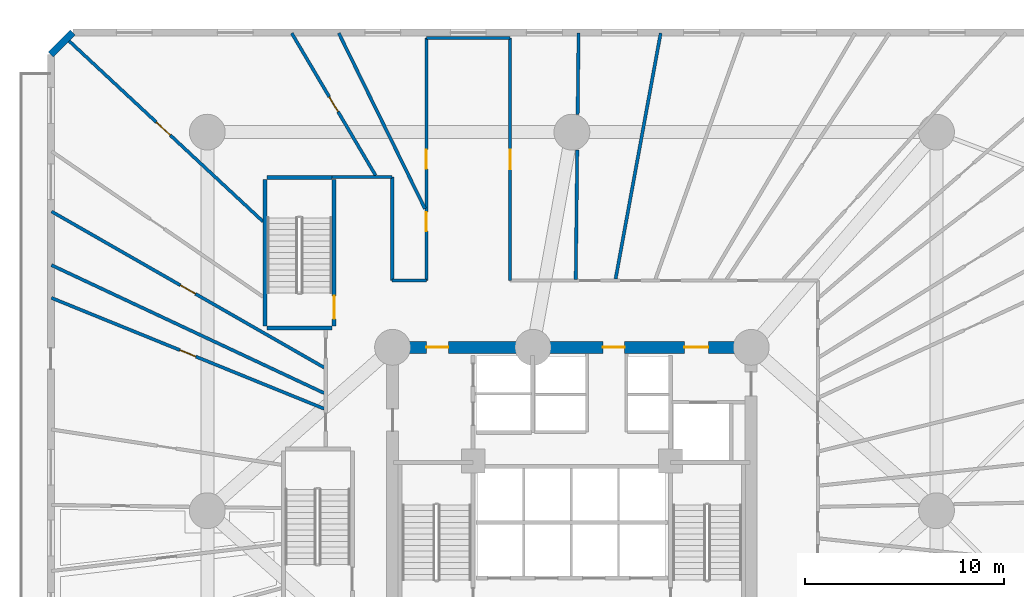
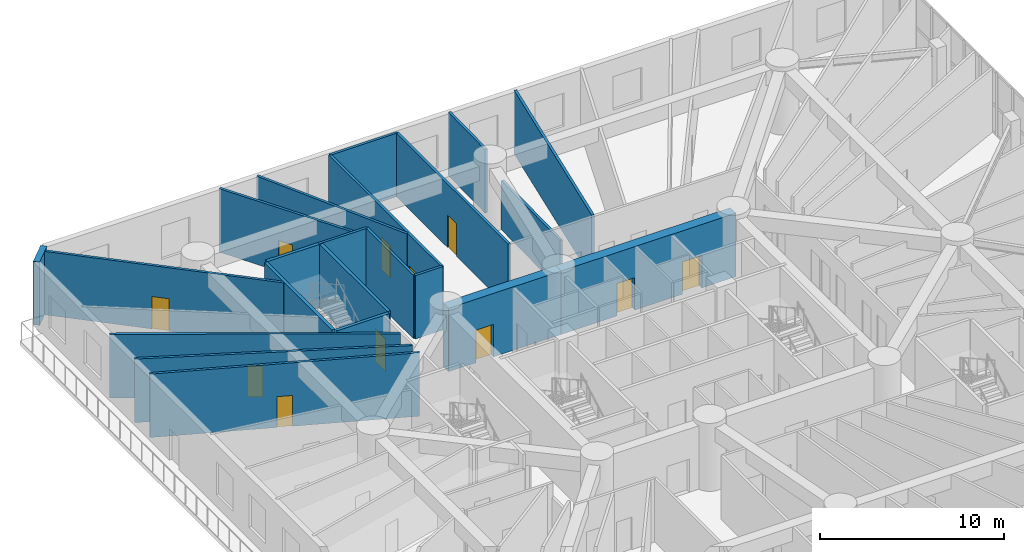
# One storey, part 17 of 26: 22 walls, 11 doors, 11 openings.
"""IFC4 building model written with IfcOpenShell, lengths in metres."""

from ifc_helpers import new_model, si_unit, direction, frame, frame_2d, origin, origin_with_axes, place, context, subcontext, project, spatial, rectangle, extrude, source, transform, mapped, material, layer, layer_set, type_object, element, fill, save


model = new_model("IFC4")

# Units and contexts
model_context = context("Model", 3, precision=1e-05, world=origin(), true_north=direction((0.0, 1.0)))
body_context = subcontext(model_context, "Body", "Model", "MODEL_VIEW")
ifc_project = project(units=[si_unit("LENGTHUNIT", "METRE"), si_unit("AREAUNIT", "SQUARE_METRE"), si_unit("VOLUMEUNIT", "CUBIC_METRE"), si_unit("PLANEANGLEUNIT", "RADIAN"), si_unit("MASSUNIT", "GRAM", prefix="KILO")], contexts=[model_context])

# Site, building, storey
site_placement = place(None, origin())
site = spatial("IfcSite", under=ifc_project, at=site_placement, CompositionType="ELEMENT")
building_placement = place(site_placement, origin())
building = spatial("IfcBuilding", under=site, at=building_placement, Name="Karkom Vertical University and Central Library", CompositionType="ELEMENT")
storey_placement = place(building_placement, frame((0.0, 0.0, 4.5)))
storey = spatial("IfcBuildingStorey", under=building, at=storey_placement, Name="L01", CompositionType="ELEMENT", Elevation=4.5)

# Wall
ifc_material_1 = material(Name="Brick masonry 360mm insulated cavity", Category="masonry")
ifc_layer_1 = layer(ifc_material_1, 0.360107421875)
ifc_layer_set_1 = layer_set([ifc_layer_1], Name="Brick masonry 360mm insulated cavity")
wall_type_1 = type_object("IfcWallType", Name="ENV-WL-BRK-360", PredefinedType="SOLIDWALL", material=ifc_layer_set_1)
wall_1_placement = place(storey_placement, frame((3.449951171875, 50.5, 0.0), z_axis=(0.0, 0.0, 1.0), x_axis=(-0.707028305322, -0.707185248342, 0.0)))
element("IfcWall", 1, at=wall_1_placement, inside=storey, type_object=wall_type_1, Name="Level 01 POD Terracotta Brick Facade Wall 06", PredefinedType="SOLIDWALL", context=body_context, shape_type="SweptSolid", body=[
    extrude(rectangle(XDim=1.5556640625, YDim=0.360107421875, at=frame_2d((0.77783203125, 0.0))), origin(), (0.0, 0.0, 1.0), 4.199951171875),
])

# Wall, opening, door
ifc_material_2 = material(Name="Insulated metal-stud drywall 160mm", Category="gypsum")
ifc_layer_2 = layer(ifc_material_2, 0.159912109375)
ifc_layer_set_2 = layer_set([ifc_layer_2], Name="Insulated metal-stud drywall 160mm")
wall_type_2 = type_object("IfcWallType", Name="INT-WL-COR-160", PredefinedType="PARTITIONING", material=ifc_layer_set_2)
wall_2_placement = place(storey_placement, frame((16.068115234375, 33.685546875, 0.0), z_axis=(0.0, 0.0, 1.0), x_axis=(-0.867874159782, 0.496784100774, 0.0)))
wall_2 = element("IfcWall", 2, at=wall_2_placement, inside=storey, type_object=wall_type_2, Name="Level 01 Interior Partition Wall Level 01-PODW-41-42-1", PredefinedType="PARTITIONING", context=body_context, shape_type="SweptSolid", body=[
    extrude(rectangle(XDim=15.767822265625, YDim=0.159912109375, at=frame_2d((7.8837890625, 0.0))), origin(), (0.0, 0.0, 1.0), 4.199951171875),
])
opening_1_placement = place(wall_2_placement, frame((7.453857421875, 0.0, 0.0)))
opening_1 = element("IfcOpeningElement", 3, at=opening_1_placement, cuts=wall_2, Name="Opening FD-BTH2", PredefinedType="OPENING", context=body_context, shape_type="SweptSolid", body=[
    extrude(rectangle(XDim=0.860107421875, YDim=2.0400390625, at=frame_2d((0.43017578125, 1.02001953125))), frame((0.0, 0.08984375, 0.0), z_axis=(0.0, -1.0, 0.0), x_axis=(1.0, 0.0, 0.0)), (0.0, 0.0, 1.0), 0.179931640625),
])
ifc_material_3 = material(Name="Fire-rated moisture-resistant oak door", Category="wood")
door_type_1 = type_object("IfcDoorType", Name="INT-DR-FBTH2", OperationType="NOTDEFINED", PredefinedType="DOOR", material=ifc_material_3)
shared_shape_1 = source(origin_with_axes(), body_context, "Body", "SweptSolid", [
    extrude(rectangle(XDim=0.860107421875, YDim=2.0400390625, at=frame_2d((0.43017578125, 1.02001953125))), frame((0.0, 0.02490234375, 0.0), z_axis=(0.0, -1.0, 0.0), x_axis=(1.0, 0.0, 0.0)), (0.0, 0.0, 1.0), 0.050048828125),
])
door_1_placement = place(opening_1_placement, origin())
door_1 = element("IfcDoor", 4, at=door_1_placement, inside=storey, type_object=door_type_1, Name="Level 01 Student Refectory Dining Hall Entry Door", OperationType="SINGLE_SWING_LEFT", OverallHeight=2.0400390625, OverallWidth=0.860107421875, PredefinedType="DOOR", context=body_context, shape_type="MappedRepresentation", body=[
    mapped(shared_shape_1, transform((0.0, 0.0, 0.0), scale=1.0)),
])
fill(opening_1, door_1)

# Wall
wall_3_placement = place(storey_placement, frame((16.068115234375, 32.4013671875, 0.0), z_axis=(0.0, 0.0, 1.0), x_axis=(-0.905248224799, 0.424883103334, 0.0)))
element("IfcWall", 5, at=wall_3_placement, inside=storey, type_object=wall_type_2, Name="Level 01 Interior Partition Wall Level 01-PODW-42-43-1", PredefinedType="PARTITIONING", context=body_context, shape_type="SweptSolid", body=[
    extrude(rectangle(XDim=15.11962890625, YDim=0.159912109375, at=frame_2d((7.559814453125, 0.0))), origin(), (0.0, 0.0, 1.0), 4.199951171875),
])

# Wall, opening, door
wall_4_placement = place(storey_placement, frame((16.068115234375, 31.61767578125, 0.0), z_axis=(0.0, 0.0, 1.0), x_axis=(-0.926404446812, 0.37652994692, 0.0)))
wall_4 = element("IfcWall", 6, at=wall_4_placement, inside=storey, type_object=wall_type_2, Name="Level 01 Interior Partition Wall Level 01-PODW-43-44-1", PredefinedType="PARTITIONING", context=body_context, shape_type="SweptSolid", body=[
    extrude(rectangle(XDim=14.775634765625, YDim=0.159912109375, at=frame_2d((7.3876953125, 0.0))), origin(), (0.0, 0.0, 1.0), 4.199951171875),
])
opening_2_placement = place(wall_4_placement, frame((6.957763671875, 0.0, 0.0)))
opening_2 = element("IfcOpeningElement", 7, at=opening_2_placement, cuts=wall_4, Name="Opening FD-BTH2", PredefinedType="OPENING", context=body_context, shape_type="SweptSolid", body=[
    extrude(rectangle(XDim=0.860107421875, YDim=2.0400390625, at=frame_2d((0.43017578125, 1.02001953125))), frame((0.0, 0.08984375, 0.0), z_axis=(0.0, -1.0, 0.0), x_axis=(1.0, 0.0, 0.0)), (0.0, 0.0, 1.0), 0.179931640625),
])
door_2_placement = place(opening_2_placement, origin())
door_2 = element("IfcDoor", 8, at=door_2_placement, inside=storey, type_object=door_type_1, Name="Level 01 Academic Advising Office Entry Door", OperationType="SINGLE_SWING_RIGHT", OverallHeight=2.0400390625, OverallWidth=0.860107421875, PredefinedType="DOOR", context=body_context, shape_type="MappedRepresentation", body=[
    mapped(shared_shape_1, transform((0.0, 0.0, 0.0), scale=1.0)),
])
fill(opening_2, door_2)

wall_5_placement = place(storey_placement, frame((13.00390625, 41.0087890625, 0.0), z_axis=(0.0, 0.0, 1.0), x_axis=(-0.731912390856, 0.681398746779, 0.0)))
wall_5 = element("IfcWall", 9, at=wall_5_placement, inside=storey, type_object=wall_type_2, Name="Level 01 Interior Partition Wall Level 01-PODW-39-40-1", PredefinedType="PARTITIONING", context=body_context, shape_type="SweptSolid", body=[
    extrude(rectangle(XDim=13.45068359375, YDim=0.159912109375, at=frame_2d((6.725341796875, 0.0))), origin(), (0.0, 0.0, 1.0), 4.199951171875),
])
opening_3_placement = place(wall_5_placement, frame((6.365234375, 0.0, 0.0)))
opening_3 = element("IfcOpeningElement", 10, at=opening_3_placement, cuts=wall_5, Name="Opening FD-RM2", PredefinedType="OPENING", context=body_context, shape_type="SweptSolid", body=[
    extrude(rectangle(XDim=0.9599609375, YDim=2.14990234375, at=frame_2d((0.47998046875, 1.074951171875))), frame((0.0, 0.08984375, 0.0), z_axis=(0.0, -1.0, 0.0), x_axis=(1.0, 0.0, 0.0)), (0.0, 0.0, 1.0), 0.179931640625),
])
ifc_material_4 = material(Name="Fire-rated oak veneer door", Category="wood")
door_type_2 = type_object("IfcDoorType", Name="INT-DR-FRM2", OperationType="NOTDEFINED", PredefinedType="DOOR", material=ifc_material_4)
shared_shape_2 = source(origin_with_axes(), body_context, "Body", "SweptSolid", [
    extrude(rectangle(XDim=0.9599609375, YDim=2.14990234375, at=frame_2d((0.47998046875, 1.074951171875))), frame((0.0, 0.02490234375, 0.0), z_axis=(0.0, -1.0, 0.0), x_axis=(1.0, 0.0, 0.0)), (0.0, 0.0, 1.0), 0.050048828125),
])
door_3_placement = place(opening_3_placement, origin())
door_3 = element("IfcDoor", 11, at=door_3_placement, inside=storey, type_object=door_type_2, Name="Level 01 Room Entry Door 839", OperationType="SINGLE_SWING_LEFT", OverallHeight=2.14990234375, OverallWidth=0.9599609375, PredefinedType="DOOR", context=body_context, shape_type="MappedRepresentation", body=[
    mapped(shared_shape_2, transform((0.0, 0.0, 0.0), scale=1.0)),
])
fill(opening_3, door_3)

# Wall
wall_6_placement = place(storey_placement, frame((30.693603515625, 38.132080078125, 0.0), z_axis=(0.0, 0.0, 1.0), x_axis=(0.180349203279, 0.983602645826, 0.0)))
element("IfcWall", 12, at=wall_6_placement, inside=storey, type_object=wall_type_2, Name="Level 01 Interior Partition Wall Level 01-PODW-34-35-1", PredefinedType="PARTITIONING", context=body_context, shape_type="SweptSolid", body=[
    extrude(rectangle(XDim=12.547607421875, YDim=0.159912109375, at=frame_2d((6.27392578125, 0.0))), origin(), (0.0, 0.0, 1.0), 4.199951171875),
])

# Wall, openings, doors
wall_7_placement = place(storey_placement, frame((21.199951171875, 38.050048828125, 0.0), z_axis=(0.0, 0.0, 1.0), x_axis=(0.0, 1.0, 0.0)))
wall_7 = element("IfcWall", 13, at=wall_7_placement, inside=storey, type_object=wall_type_2, Name="Level 01 Interior Partition Wall Level 01-PDCW-CW-005", PredefinedType="PARTITIONING", context=body_context, shape_type="SweptSolid", body=[
    extrude(rectangle(XDim=12.169921875, YDim=0.159912109375, at=frame_2d((6.0849609375, 0.0))), origin(), (0.0, 0.0, 1.0), 4.199951171875),
])
opening_4_placement = place(wall_7_placement, frame((5.610107421875, 0.0, 0.0)))
opening_4 = element("IfcOpeningElement", 14, at=opening_4_placement, cuts=wall_7, Name="Opening FD-RM2", PredefinedType="OPENING", context=body_context, shape_type="SweptSolid", body=[
    extrude(rectangle(XDim=0.9599609375, YDim=2.14990234375, at=frame_2d((0.47998046875, 1.074951171875))), frame((0.0, 0.08984375, 0.0), z_axis=(0.0, -1.0, 0.0), x_axis=(1.0, 0.0, 0.0)), (0.0, 0.0, 1.0), 0.179931640625),
])
opening_5_placement = place(wall_7_placement, frame((2.4775390625, 0.0, 0.0)))
opening_5 = element("IfcOpeningElement", 15, at=opening_5_placement, cuts=wall_7, Name="Opening FD-RM2", PredefinedType="OPENING", context=body_context, shape_type="SweptSolid", body=[
    extrude(rectangle(XDim=0.9599609375, YDim=2.14990234375, at=frame_2d((0.47998046875, 1.074951171875))), frame((0.0, 0.08984375, 0.0), z_axis=(0.0, -1.0, 0.0), x_axis=(1.0, 0.0, 0.0)), (0.0, 0.0, 1.0), 0.179931640625),
])
door_4_placement = place(opening_4_placement, origin())
door_4 = element("IfcDoor", 16, at=door_4_placement, inside=storey, type_object=door_type_2, Name="Level 01 Room Entry Door 836", OperationType="SINGLE_SWING_LEFT", OverallHeight=2.14990234375, OverallWidth=0.9599609375, PredefinedType="DOOR", context=body_context, shape_type="MappedRepresentation", body=[
    mapped(shared_shape_2, transform((0.0, 0.0, 0.0), scale=1.0)),
])
fill(opening_4, door_4)
door_5_placement = place(opening_5_placement, origin())
door_5 = element("IfcDoor", 17, at=door_5_placement, inside=storey, type_object=door_type_2, Name="Level 01 Room Entry Door 837", OperationType="SINGLE_SWING_RIGHT", OverallHeight=2.14990234375, OverallWidth=0.9599609375, PredefinedType="DOOR", context=body_context, shape_type="MappedRepresentation", body=[
    mapped(shared_shape_2, transform((0.0, 0.0, 0.0), scale=1.0)),
])
fill(opening_5, door_5)

# Wall, opening, door
wall_8_placement = place(storey_placement, frame((25.39990234375, 50.219970703125, 0.0), z_axis=(0.0, 0.0, 1.0), x_axis=(0.0, -1.0, 0.0)))
wall_8 = element("IfcWall", 18, at=wall_8_placement, inside=storey, type_object=wall_type_2, Name="Level 01 Interior Partition Wall Level 01-PDCW-CW-007", PredefinedType="PARTITIONING", context=body_context, shape_type="SweptSolid", body=[
    extrude(rectangle(XDim=12.169921875, YDim=0.159912109375, at=frame_2d((6.0849609375, 0.0))), origin(), (0.0, 0.0, 1.0), 4.199951171875),
])
opening_6_placement = place(wall_8_placement, frame((5.610107421875, 0.0, 0.0)))
opening_6 = element("IfcOpeningElement", 19, at=opening_6_placement, cuts=wall_8, Name="Opening FD-RM2", PredefinedType="OPENING", context=body_context, shape_type="SweptSolid", body=[
    extrude(rectangle(XDim=0.9599609375, YDim=2.14990234375, at=frame_2d((0.47998046875, 1.074951171875))), frame((0.0, 0.08984375, 0.0), z_axis=(0.0, -1.0, 0.0), x_axis=(1.0, 0.0, 0.0)), (0.0, 0.0, 1.0), 0.179931640625),
])
door_6_placement = place(opening_6_placement, origin())
door_6 = element("IfcDoor", 20, at=door_6_placement, inside=storey, type_object=door_type_2, Name="Level 01 Room Entry Door 835", OperationType="SINGLE_SWING_RIGHT", OverallHeight=2.14990234375, OverallWidth=0.9599609375, PredefinedType="DOOR", context=body_context, shape_type="MappedRepresentation", body=[
    mapped(shared_shape_2, transform((0.0, 0.0, 0.0), scale=1.0)),
])
fill(opening_6, door_6)

# Wall
wall_9_placement = place(storey_placement, frame((21.12451171875, 41.65966796875, 0.0), z_axis=(0.0, 0.0, 1.0), x_axis=(-0.440663348881, 0.897672441903, 0.0)))
element("IfcWall", 21, at=wall_9_placement, inside=storey, type_object=wall_type_2, Name="Level 01 Interior Partition Wall Level 01-PODW-37-38-1", PredefinedType="PARTITIONING", context=body_context, shape_type="SweptSolid", body=[
    extrude(rectangle(XDim=9.81298828125, YDim=0.159912109375, at=frame_2d((4.906494140625, 0.0))), origin(), (0.0, 0.0, 1.0), 4.199951171875),
])

# Wall, opening, door
wall_10_placement = place(storey_placement, frame((18.64599609375, 43.33203125, 0.0), z_axis=(0.0, 0.0, 1.0), x_axis=(-0.50787789651, 0.861429069765, 0.0)))
wall_10 = element("IfcWall", 22, at=wall_10_placement, inside=storey, type_object=wall_type_2, Name="Level 01 Interior Partition Wall Level 01-PODW-38-39-1", PredefinedType="PARTITIONING", context=body_context, shape_type="SweptSolid", body=[
    extrude(rectangle(XDim=8.28173828125, YDim=0.159912109375, at=frame_2d((4.140869140625, 0.0))), origin(), (0.0, 0.0, 1.0), 4.199951171875),
])
opening_7_placement = place(wall_10_placement, frame((3.710693359375, 0.0, 0.0)))
opening_7 = element("IfcOpeningElement", 23, at=opening_7_placement, cuts=wall_10, Name="Opening FD-BTH2", PredefinedType="OPENING", context=body_context, shape_type="SweptSolid", body=[
    extrude(rectangle(XDim=0.860107421875, YDim=2.0400390625, at=frame_2d((0.43017578125, 1.02001953125))), frame((0.0, 0.08984375, 0.0), z_axis=(0.0, -1.0, 0.0), x_axis=(1.0, 0.0, 0.0)), (0.0, 0.0, 1.0), 0.179931640625),
])
door_7_placement = place(opening_7_placement, origin())
door_7 = element("IfcDoor", 24, at=door_7_placement, inside=storey, type_object=door_type_1, Name="Level 01 Faculty Meeting Room Entry Door", OperationType="SINGLE_SWING_LEFT", OverallHeight=2.0400390625, OverallWidth=0.860107421875, PredefinedType="DOOR", context=body_context, shape_type="MappedRepresentation", body=[
    mapped(shared_shape_1, transform((0.0, 0.0, 0.0), scale=1.0)),
])
fill(opening_7, door_7)

# Walls
wall_11_placement = place(storey_placement, frame((28.693603515625, 38.116943359375, 0.0), z_axis=(0.0, 0.0, 1.0), x_axis=(0.011467135897, 0.999934250236, 0.0)))
element("IfcWall", 25, at=wall_11_placement, inside=storey, type_object=wall_type_2, Name="Level 01 Interior Partition Wall Level 01-PODW-35-36-2", PredefinedType="PARTITIONING", context=body_context, shape_type="SweptSolid", body=[
    extrude(rectangle(XDim=6.49365234375, YDim=0.159912109375, at=frame_2d((3.246826171875, 0.0))), origin(), (0.0, 0.0, 1.0), 3.25),
])
wall_12_placement = place(storey_placement, frame((19.47998046875, 43.25, 0.0), z_axis=(0.0, 0.0, 1.0), x_axis=(0.0, -1.0, 0.0)))
element("IfcWall", 26, at=wall_12_placement, inside=storey, type_object=wall_type_2, Name="Level 01 Interior Partition Wall Level 01-PDCW-CW-003", PredefinedType="PARTITIONING", context=body_context, shape_type="SweptSolid", body=[
    extrude(rectangle(XDim=5.199951171875, YDim=0.159912109375, at=frame_2d((2.60009765625, 0.0))), origin(), (0.0, 0.0, 1.0), 4.199951171875),
])
wall_13_placement = place(storey_placement, frame((21.199951171875, 50.219970703125, 0.0), z_axis=(0.0, 0.0, 1.0), x_axis=(1.0, 0.0, 0.0)))
element("IfcWall", 27, at=wall_13_placement, inside=storey, type_object=wall_type_2, Name="Level 01 Interior Partition Wall Level 01-PDCW-CW-006", PredefinedType="PARTITIONING", context=body_context, shape_type="SweptSolid", body=[
    extrude(rectangle(XDim=4.199951171875, YDim=0.159912109375, at=frame_2d((2.10009765625, 0.0))), origin(), (0.0, 0.0, 1.0), 4.199951171875),
])
wall_14_placement = place(storey_placement, frame((28.78857421875, 46.389892578125, 0.0), z_axis=(0.0, 0.0, 1.0), x_axis=(0.011473576876, 0.99993417635, 0.0)))
element("IfcWall", 28, at=wall_14_placement, inside=storey, type_object=wall_type_2, Name="Level 01 Interior Partition Wall Level 01-PODW-35-36-1", PredefinedType="PARTITIONING", context=body_context, shape_type="SweptSolid", body=[
    extrude(rectangle(XDim=4.08544921875, YDim=0.159912109375, at=frame_2d((2.042724609375, 0.0))), origin(), (0.0, 0.0, 1.0), 4.199951171875),
])
wall_15_placement = place(storey_placement, frame((16.465087890625, 43.25, 0.0), z_axis=(0.0, 0.0, 1.0), x_axis=(1.0, 0.0, 0.0)))
element("IfcWall", 29, at=wall_15_placement, inside=storey, type_object=wall_type_2, Name="Level 01 Interior Partition Wall Level 01-PDCW-CW-002", PredefinedType="PARTITIONING", context=body_context, shape_type="SweptSolid", body=[
    extrude(rectangle(XDim=3.014892578125, YDim=0.159912109375, at=frame_2d((1.50732421875, 0.0))), origin(), (0.0, 0.0, 1.0), 4.199951171875),
])
wall_16_placement = place(storey_placement, frame((19.47998046875, 38.050048828125, 0.0), z_axis=(0.0, 0.0, 1.0), x_axis=(1.0, 0.0, 0.0)))
element("IfcWall", 30, at=wall_16_placement, inside=storey, type_object=wall_type_2, Name="Level 01 Interior Partition Wall Level 01-PDCW-CW-004", PredefinedType="PARTITIONING", context=body_context, shape_type="SweptSolid", body=[
    extrude(rectangle(XDim=1.719970703125, YDim=0.159912109375, at=frame_2d((0.85986328125, 0.0))), origin(), (0.0, 0.0, 1.0), 4.199951171875),
])

# Wall, openings, doors
ifc_material_5 = material(Name="Concrete C50/60", Category="concrete")
ifc_layer_3 = layer(ifc_material_5, 0.60009765625)
ifc_layer_set_3 = layer_set([ifc_layer_3], Name="Concrete C50/60")
wall_type_3 = type_object("IfcWallType", Name="STR-WL-CW-600", PredefinedType="SHEAR", material=ifc_layer_set_3)
wall_17_placement = place(storey_placement, frame((37.5, 34.699951171875, 0.0), z_axis=(0.0, 0.0, 1.0), x_axis=(-1.0, 0.0, 0.0)))
wall_17 = element("IfcWall", 31, at=wall_17_placement, inside=storey, type_object=wall_type_3, Name="Level 01 Central Core Shear Wall NW1", PredefinedType="SHEAR", context=body_context, shape_type="SweptSolid", body=[
    extrude(rectangle(XDim=10.949951171875, YDim=0.60009765625, at=frame_2d((5.47509765625, 0.0))), origin(), (0.0, 0.0, 1.0), 4.199951171875),
])
opening_8_placement = place(wall_17_placement, frame((2.14990234375, 0.0, 0.0)))
opening_8 = element("IfcOpeningElement", 32, at=opening_8_placement, cuts=wall_17, Name="Opening FD-SUB1", PredefinedType="OPENING", context=body_context, shape_type="SweptSolid", body=[
    extrude(rectangle(XDim=1.199951171875, YDim=2.14990234375, at=frame_2d((0.60009765625, 1.074951171875))), frame((0.0, 0.31005859375, 0.0), z_axis=(0.0, -1.0, 0.0), x_axis=(1.0, 0.0, 0.0)), (0.0, 0.0, 1.0), 0.6201171875),
])
opening_9_placement = place(wall_17_placement, frame((6.35009765625, 0.0, 0.0)))
opening_9 = element("IfcOpeningElement", 33, at=opening_9_placement, cuts=wall_17, Name="Opening FD-FFL", PredefinedType="OPENING", context=body_context, shape_type="SweptSolid", body=[
    extrude(rectangle(XDim=1.10009765625, YDim=2.14990234375, at=frame_2d((0.550048828125, 1.074951171875))), frame((0.0, 0.31005859375, 0.0), z_axis=(0.0, -1.0, 0.0), x_axis=(1.0, 0.0, 0.0)), (0.0, 0.0, 1.0), 0.6201171875),
])
ifc_material_6 = material(Name="Painted steel smoke-seal fire door", Category="steel")
door_type_3 = type_object("IfcDoorType", Name="INT-DR-FFL", OperationType="NOTDEFINED", PredefinedType="DOOR", material=ifc_material_6)
shared_shape_3 = source(origin_with_axes(), body_context, "Body", "SweptSolid", [
    extrude(rectangle(XDim=1.10009765625, YDim=2.14990234375, at=frame_2d((0.550048828125, 1.074951171875))), frame((0.0, 0.02490234375, 0.0), z_axis=(0.0, -1.0, 0.0), x_axis=(1.0, 0.0, 0.0)), (0.0, 0.0, 1.0), 0.050048828125),
])
door_8_placement = place(opening_9_placement, origin())
door_8 = element("IfcDoor", 34, at=door_8_placement, inside=storey, type_object=door_type_3, Name="Level 01 North Core Lobby Exit Door", OperationType="SINGLE_SWING_LEFT", OverallHeight=2.14990234375, OverallWidth=1.10009765625, PredefinedType="DOOR", context=body_context, shape_type="MappedRepresentation", body=[
    mapped(shared_shape_3, transform((0.0, 0.0, 0.0), scale=1.0)),
])
fill(opening_9, door_8)
ifc_material_7 = material(Name="Painted steel fire door", Category="steel")
door_type_4 = type_object("IfcDoorType", Name="INT-DR-SUB1", OperationType="NOTDEFINED", PredefinedType="DOOR", material=ifc_material_7)
shared_shape_4 = source(origin_with_axes(), body_context, "Body", "SweptSolid", [
    extrude(rectangle(XDim=1.199951171875, YDim=2.14990234375, at=frame_2d((0.60009765625, 1.074951171875))), frame((0.0, 0.02490234375, 0.0), z_axis=(0.0, -1.0, 0.0), x_axis=(1.0, 0.0, 0.0)), (0.0, 0.0, 1.0), 0.050048828125),
])
door_9_placement = place(opening_8_placement, origin())
door_9 = element("IfcDoor", 35, at=door_9_placement, inside=storey, type_object=door_type_4, Name="Level 01 Service Lobby Fire Door", OperationType="SINGLE_SWING_LEFT", OverallHeight=2.14990234375, OverallWidth=1.199951171875, PredefinedType="DOOR", context=body_context, shape_type="MappedRepresentation", body=[
    mapped(shared_shape_4, transform((0.0, 0.0, 0.0), scale=1.0)),
])
fill(opening_8, door_9)

# Wall, opening, door
wall_18_placement = place(storey_placement, frame((26.550048828125, 34.699951171875, 0.0), z_axis=(0.0, 0.0, 1.0), x_axis=(-1.0, 0.0, 0.0)))
wall_18 = element("IfcWall", 36, at=wall_18_placement, inside=storey, type_object=wall_type_3, Name="Level 01 Central Core Shear Wall NW2", PredefinedType="SHEAR", context=body_context, shape_type="SweptSolid", body=[
    extrude(rectangle(XDim=7.050048828125, YDim=0.60009765625, at=frame_2d((3.52490234375, 0.0))), origin(), (0.0, 0.0, 1.0), 4.199951171875),
])
opening_10_placement = place(wall_18_placement, frame((4.25, 0.0, 0.0)))
opening_10 = element("IfcOpeningElement", 37, at=opening_10_placement, cuts=wall_18, Name="Opening FD-FFL", PredefinedType="OPENING", context=body_context, shape_type="SweptSolid", body=[
    extrude(rectangle(XDim=1.10009765625, YDim=2.14990234375, at=frame_2d((0.550048828125, 1.074951171875))), frame((0.0, 0.31005859375, 0.0), z_axis=(0.0, -1.0, 0.0), x_axis=(1.0, 0.0, 0.0)), (0.0, 0.0, 1.0), 0.6201171875),
])
door_10_placement = place(opening_10_placement, origin())
door_10 = element("IfcDoor", 38, at=door_10_placement, inside=storey, type_object=door_type_3, Name="Level 01 Firefighting Lobby Door", OperationType="SINGLE_SWING_RIGHT", OverallHeight=2.14990234375, OverallWidth=1.10009765625, PredefinedType="DOOR", context=body_context, shape_type="MappedRepresentation", body=[
    mapped(shared_shape_3, transform((0.0, 0.0, 0.0), scale=1.0)),
])
fill(opening_10, door_10)

# Wall
ifc_material_8 = material(Name="Concrete C45/55", Category="concrete")
ifc_layer_4 = layer(ifc_material_8, 0.199951171875)
ifc_layer_set_4 = layer_set([ifc_layer_4], Name="Concrete C45/55")
wall_type_4 = type_object("IfcWallType", Name="STR-WL-ST-200", PredefinedType="SHEAR", material=ifc_layer_set_4)
wall_19_placement = place(storey_placement, frame((13.094970703125, 35.780029296875, 0.0), z_axis=(0.0, 0.0, 1.0), x_axis=(0.0, 1.0, 0.0)))
element("IfcWall", 39, at=wall_19_placement, inside=storey, type_object=wall_type_4, Name="Level 01 Core Shaft Wall Level 01-W-POD2-W", PredefinedType="SHEAR", context=body_context, shape_type="SweptSolid", body=[
    extrude(rectangle(XDim=7.349853515625, YDim=0.199951171875, at=frame_2d((3.6748046875, 0.0))), origin(), (0.0, 0.0, 1.0), 4.199951171875),
])

# Wall, opening, door
wall_20_placement = place(storey_placement, frame((16.56494140625, 35.780029296875, 0.0), z_axis=(0.0, 0.0, 1.0), x_axis=(0.0, 1.0, 0.0)))
wall_20 = element("IfcWall", 40, at=wall_20_placement, inside=storey, type_object=wall_type_4, Name="Level 01 Core Shaft Wall Level 01-W-POD2-E", PredefinedType="SHEAR", context=body_context, shape_type="SweptSolid", body=[
    extrude(rectangle(XDim=7.349853515625, YDim=0.199951171875, at=frame_2d((3.6748046875, 0.0))), origin(), (0.0, 0.0, 1.0), 4.199951171875),
])
opening_11_placement = place(wall_20_placement, frame((0.35009765625, 0.0, 0.0)))
opening_11 = element("IfcOpeningElement", 41, at=opening_11_placement, cuts=wall_20, Name="Opening FD-ST1", PredefinedType="OPENING", context=body_context, shape_type="SweptSolid", body=[
    extrude(rectangle(XDim=1.14990234375, YDim=2.14990234375, at=frame_2d((0.574951171875, 1.074951171875))), frame((0.0, 0.10986328125, 0.0), z_axis=(0.0, -1.0, 0.0), x_axis=(1.0, 0.0, 0.0)), (0.0, 0.0, 1.0), 0.219970703125),
])
ifc_material_9 = material(Name="Painted steel acoustic fire door", Category="steel")
door_type_5 = type_object("IfcDoorType", Name="INT-DR-ST1", OperationType="NOTDEFINED", PredefinedType="DOOR", material=ifc_material_9)
shared_shape_5 = source(origin_with_axes(), body_context, "Body", "SweptSolid", [
    extrude(rectangle(XDim=1.14990234375, YDim=2.14990234375, at=frame_2d((0.574951171875, 1.074951171875))), frame((0.0, 0.02490234375, 0.0), z_axis=(0.0, -1.0, 0.0), x_axis=(1.0, 0.0, 0.0)), (0.0, 0.0, 1.0), 0.050048828125),
])
door_11_placement = place(opening_11_placement, origin())
door_11 = element("IfcDoor", 42, at=door_11_placement, inside=storey, type_object=door_type_5, Name="Level 01 POD2 Stair Door", OperationType="SINGLE_SWING_RIGHT", OverallHeight=2.14990234375, OverallWidth=1.14990234375, PredefinedType="DOOR", context=body_context, shape_type="MappedRepresentation", body=[
    mapped(shared_shape_5, transform((0.0, 0.0, 0.0), scale=1.0)),
])
fill(opening_11, door_11)

# Walls
for number, where, z_axis, x_axis, name in (
    (43, (13.199951171875, 35.675048828125, 0.0), (0.0, 0.0, 1.0), (1.0, 0.0, 0.0), "Level 01 Core Shaft Wall Level 01-W-POD2-S"),
    (44, (13.199951171875, 43.235107421875, 0.0), (0.0, 0.0, 1.0), (1.0, 0.0, 0.0), "Level 01 Core Shaft Wall Level 01-W-POD2-N"),
):
    element("IfcWall", number, at=place(storey_placement, frame(where, z_axis=z_axis, x_axis=x_axis)), inside=storey, type_object=wall_type_4, Name=name, PredefinedType="SHEAR", context=body_context, shape_type="SweptSolid", body=[
        extrude(rectangle(XDim=3.260009765625, YDim=0.199951171875, at=frame_2d((1.6298828125, 0.0))), origin(), (0.0, 0.0, 1.0), 4.199951171875),
    ])

save(model, "model.ifc")
